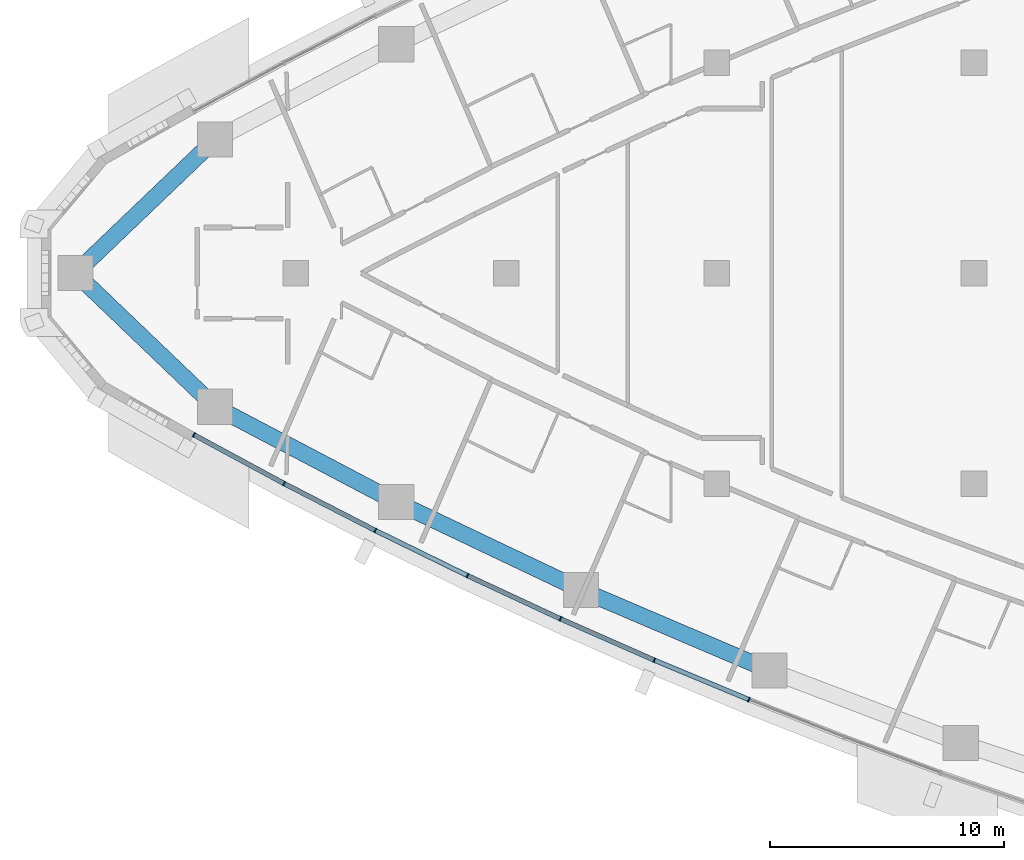
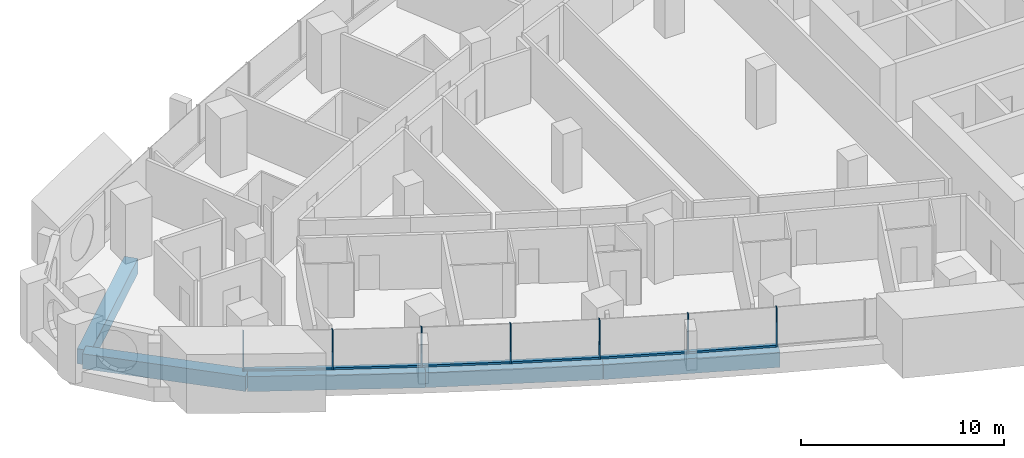
# One storey, part 2 of 17: 13 members, 5 beams, 3 elements without a shape of their own.
"""IFC4 building model written with IfcOpenShell, lengths in metres."""

from ifc_helpers import new_model, si_unit, direction, frame, origin, origin_2d, place, context, subcontext, project, spatial, rectangle, extrude, material, layer, layer_set, material_profile, profile_set, type_object, element, aggregate, save


model = new_model("IFC4")

# Units and contexts
model_context = context("Model", 3, precision=1e-05, world=origin(), true_north=direction((0.0, 1.0)))
body_context = subcontext(model_context, "Body", "Model", "MODEL_VIEW")
ifc_project = project(units=[si_unit("LENGTHUNIT", "METRE"), si_unit("AREAUNIT", "SQUARE_METRE"), si_unit("VOLUMEUNIT", "CUBIC_METRE"), si_unit("PLANEANGLEUNIT", "RADIAN"), si_unit("MASSUNIT", "GRAM", prefix="KILO")], contexts=[model_context])

# Site, building, storey
site_placement = place(None, origin())
site = spatial("IfcSite", under=ifc_project, at=site_placement, CompositionType="ELEMENT")
building_placement = place(site_placement, origin())
building = spatial("IfcBuilding", under=site, at=building_placement, Name="Ostrand Prow Hotel Tower", CompositionType="ELEMENT")
storey_placement = place(building_placement, frame((0.0, 0.0, 137.300048828125)))
storey = spatial("IfcBuildingStorey", under=building, at=storey_placement, Name="L33", CompositionType="ELEMENT", Elevation=137.300048828125)

# Beams
ifc_material_1 = material(Name="Concrete C70/85", Category="concrete")
ifc_material_profile_1 = material_profile(ifc_material_1, rectangle(XDim=0.699951171875, YDim=0.89990234375, at=origin_2d()), Name="RC 700x900")
ifc_profile_set_1 = profile_set([ifc_material_profile_1], Name="Concrete C70/85")
beam_type = type_object("IfcBeamType", Name="Edge beam 700x900 C70/85", PredefinedType="SPANDREL", material=ifc_profile_set_1)
beam_1_placement = place(storey_placement, frame((6.580078125, 0.0, -0.75), z_axis=(0.722689968521, -0.691172344209, 0.0), x_axis=(0.691172344209, 0.722689968521, 0.0)))
element("IfcBeam", 1, at=beam_1_placement, inside=storey, type_object=beam_type, Name="Edge beam P-S1", PredefinedType="SPANDREL", context=body_context, shape_type="SweptSolid", body=[
    extrude(rectangle(XDim=0.699951171875, YDim=0.89990234375, at=origin_2d()), origin(), (0.0, 0.0, 1.0), 8.26513671875),
])
for number, where, z_axis, x_axis, name in (
    (2, (12.55322265625, -5.712646484375, -0.75), (0.885016215308, -0.465560198731, 0.0), (0.465560198731, 0.885016215308, 0.0), "Edge beam S1-S2"),
    (3, (20.300048828125, -9.787841796875, -0.75), (0.903083113352, -0.429465819803, 0.0), (0.429465819803, 0.903083113352, 0.0), "Edge beam S2-S3"),
    (4, (28.205078125, -13.547119140625, -0.75), (0.919700966994, -0.392619575811, 0.0), (0.392619575811, 0.919700966994, 0.0), "Edge beam S3-S4"),
):
    element("IfcBeam", number, at=place(storey_placement, frame(where, z_axis=z_axis, x_axis=x_axis)), inside=storey, type_object=beam_type, Name=name, PredefinedType="SPANDREL", context=body_context, shape_type="SweptSolid", body=[
        extrude(rectangle(XDim=0.699951171875, YDim=0.89990234375, at=origin_2d()), origin(), (0.0, 0.0, 1.0), 8.75341796875),
    ])
beam_2_placement = place(storey_placement, frame((12.55322265625, 5.712646484375, -0.75), z_axis=(-0.722689968521, -0.691172344209, 0.0), x_axis=(0.691172344209, -0.722689968521, 0.0)))
element("IfcBeam", 5, at=beam_2_placement, inside=storey, type_object=beam_type, Name="Edge beam N6-P", PredefinedType="SPANDREL", context=body_context, shape_type="SweptSolid", body=[
    extrude(rectangle(XDim=0.699951171875, YDim=0.89990234375, at=origin_2d()), origin(), (0.0, 0.0, 1.0), 8.26513671875),
])

# Curtain wall, members
ifc_material_2 = material(Name="Insulated glass in bronze anodised frame", Category="glass")
ifc_layer = layer(ifc_material_2, 0.199951171875)
ifc_layer_set = layer_set([ifc_layer], Name="Insulated glass in bronze anodised frame")
curtain_wall_type = type_object("IfcCurtainWallType", Name="Strip curtain wall, fritted glass over bronze spandrel", PredefinedType="NOTDEFINED", material=ifc_layer_set)
curtain_wall_1_placement = place(storey_placement, origin())
curtain_wall_1 = element("IfcCurtainWall", 6, at=curtain_wall_1_placement, inside=storey, type_object=curtain_wall_type, Name="CW1 run CWS1", PredefinedType="NOTDEFINED")
ifc_material_3 = material(Name="Bronze anodised aluminium", Category="aluminium")
ifc_material_profile_2 = material_profile(ifc_material_3, rectangle(XDim=0.199951171875, YDim=0.06005859375, at=origin_2d()), Name="Mullion 60x200 bronze anodised aluminium")
ifc_profile_set_2 = profile_set([ifc_material_profile_2], Name="Bronze anodised aluminium")
member_type_1 = type_object("IfcMemberType", Name="Mullion 60x200 bronze anodised aluminium", PredefinedType="MULLION", material=ifc_profile_set_2)
member_1_placement = place(storey_placement, frame((11.64306640625, -6.909423828125, 0.89990234375), z_axis=(0.0, 0.0, 1.0), x_axis=(0.475393901316, 0.879773060847, 0.0)))
member_1 = element("IfcMember", 7, at=member_1_placement, type_object=member_type_1, Name="CW1 mullion 1", PredefinedType="MULLION", context=body_context, shape_type="SweptSolid", body=[
    extrude(rectangle(XDim=0.199951171875, YDim=0.06005859375, at=origin_2d()), origin(), (0.0, 0.0, 1.0), 2.35009765625),
])
member_2_placement = place(storey_placement, frame((15.501708984375, -8.99462890625, 0.89990234375), z_axis=(0.0, 0.0, 1.0), x_axis=(0.457619429434, 0.889148164146, 0.0)))
member_2 = element("IfcMember", 8, at=member_2_placement, type_object=member_type_1, Name="CW1 mullion 2", PredefinedType="MULLION", context=body_context, shape_type="SweptSolid", body=[
    extrude(rectangle(XDim=0.199951171875, YDim=0.06005859375, at=origin_2d()), origin(), (0.0, 0.0, 1.0), 2.35009765625),
])
member_3_placement = place(storey_placement, frame((19.401611328125, -11.001708984375, 0.89990234375), z_axis=(0.0, 0.0, 1.0), x_axis=(0.457619429434, 0.889148164146, 0.0)))
member_3 = element("IfcMember", 9, at=member_3_placement, type_object=member_type_1, Name="CW1 mullion 3", PredefinedType="MULLION", context=body_context, shape_type="SweptSolid", body=[
    extrude(rectangle(XDim=0.199951171875, YDim=0.06005859375, at=origin_2d()), origin(), (0.0, 0.0, 1.0), 2.35009765625),
])

curtain_wall_2_placement = place(storey_placement, origin())
curtain_wall_2 = element("IfcCurtainWall", 10, at=curtain_wall_2_placement, inside=storey, type_object=curtain_wall_type, Name="CW1 run CWS2", PredefinedType="NOTDEFINED")
member_4_placement = place(storey_placement, frame((23.341064453125, -12.93017578125, 0.89990234375), z_axis=(0.0, 0.0, 1.0), x_axis=(0.421521761673, 0.906818286337, 0.0)))
member_4 = element("IfcMember", 11, at=member_4_placement, type_object=member_type_1, Name="CW1 mullion 2", PredefinedType="MULLION", context=body_context, shape_type="SweptSolid", body=[
    extrude(rectangle(XDim=0.199951171875, YDim=0.06005859375, at=origin_2d()), origin(), (0.0, 0.0, 1.0), 2.35009765625),
])
member_5_placement = place(storey_placement, frame((27.318359375, -14.77880859375, 0.89990234375), z_axis=(0.0, 0.0, 1.0), x_axis=(0.421521761673, 0.906818286337, 0.0)))
member_5 = element("IfcMember", 12, at=member_5_placement, type_object=member_type_1, Name="CW1 mullion 3", PredefinedType="MULLION", context=body_context, shape_type="SweptSolid", body=[
    extrude(rectangle(XDim=0.199951171875, YDim=0.06005859375, at=origin_2d()), origin(), (0.0, 0.0, 1.0), 2.35009765625),
])

curtain_wall_3_placement = place(storey_placement, origin())
curtain_wall_3 = element("IfcCurtainWall", 13, at=curtain_wall_3_placement, inside=storey, type_object=curtain_wall_type, Name="CW1 run CWS3", PredefinedType="NOTDEFINED")
member_6_placement = place(storey_placement, frame((31.332275390625, -16.54736328125, 0.89990234375), z_axis=(0.0, 0.0, 1.0), x_axis=(0.384743220418, 0.92302364777, 0.0)))
member_6 = element("IfcMember", 14, at=member_6_placement, type_object=member_type_1, Name="CW1 mullion 2", PredefinedType="MULLION", context=body_context, shape_type="SweptSolid", body=[
    extrude(rectangle(XDim=0.199951171875, YDim=0.06005859375, at=origin_2d()), origin(), (0.0, 0.0, 1.0), 2.35009765625),
])
member_7_placement = place(storey_placement, frame((35.380615234375, -18.235107421875, 0.89990234375), z_axis=(0.0, 0.0, 1.0), x_axis=(0.384743220418, 0.92302364777, 0.0)))
member_7 = element("IfcMember", 15, at=member_7_placement, type_object=member_type_1, Name="CW1 mullion 3", PredefinedType="MULLION", context=body_context, shape_type="SweptSolid", body=[
    extrude(rectangle(XDim=0.199951171875, YDim=0.06005859375, at=origin_2d()), origin(), (0.0, 0.0, 1.0), 2.35009765625),
])

# Member
ifc_material_4 = material(Name="Bronze anodised aluminium", Category="aluminium")
ifc_material_profile_3 = material_profile(ifc_material_4, rectangle(XDim=0.199951171875, YDim=0.1201171875, at=origin_2d()), Name="Transom 120x200 bronze anodised aluminium")
ifc_profile_set_3 = profile_set([ifc_material_profile_3], Name="Bronze anodised aluminium")
member_type_2 = type_object("IfcMemberType", Name="Transom 120x200 bronze anodised aluminium", PredefinedType="USERDEFINED", material=ifc_profile_set_3)
member_8_placement = place(storey_placement, frame((11.66943359375, -6.923583984375, 0.9599609375), z_axis=(0.879765206929, -0.475408435639, 0.0), x_axis=(0.475408435639, 0.879765206929, 0.0)))
member_8 = element("IfcMember", 16, at=member_8_placement, type_object=member_type_2, Name="CW1 transom 1.1", ObjectType="TRANSOM", PredefinedType="USERDEFINED", context=body_context, shape_type="SweptSolid", body=[
    extrude(rectangle(XDim=0.199951171875, YDim=0.1201171875, at=origin_2d()), origin(), (0.0, 0.0, 1.0), 4.326171875),
])

member_9_placement = place(storey_placement, frame((15.528564453125, -9.00830078125, 0.9599609375), z_axis=(0.88914020052, -0.457634902318, 0.0), x_axis=(0.457634902318, 0.88914020052, 0.0)))
member_9 = element("IfcMember", 17, at=member_9_placement, type_object=member_type_2, Name="CW1 transom 2.1", ObjectType="TRANSOM", PredefinedType="USERDEFINED", context=body_context, shape_type="SweptSolid", body=[
    extrude(rectangle(XDim=0.199951171875, YDim=0.1201171875, at=origin_2d()), origin(), (0.0, 0.0, 1.0), 4.325927734375),
])

aggregate(curtain_wall_1, [member_1, member_2, member_3, member_8, member_9])

member_10_placement = place(storey_placement, frame((19.4287109375, -11.014892578125, 0.9599609375), z_axis=(0.89815413626, -0.439680733623, 0.0), x_axis=(0.439680733623, 0.89815413626, 0.0)))
member_10 = element("IfcMember", 18, at=member_10_placement, type_object=member_type_2, Name="CW1 transom 1.1", ObjectType="TRANSOM", PredefinedType="USERDEFINED", context=body_context, shape_type="SweptSolid", body=[
    extrude(rectangle(XDim=0.199951171875, YDim=0.1201171875, at=origin_2d()), origin(), (0.0, 0.0, 1.0), 4.326171875),
])

member_11_placement = place(storey_placement, frame((23.368408203125, -12.942626953125, 0.9599609375), z_axis=(0.906796377468, -0.421568890944, 0.0), x_axis=(0.421568890944, 0.906796377468, 0.0)))
member_11 = element("IfcMember", 19, at=member_11_placement, type_object=member_type_2, Name="CW1 transom 2.1", ObjectType="TRANSOM", PredefinedType="USERDEFINED", context=body_context, shape_type="SweptSolid", body=[
    extrude(rectangle(XDim=0.199951171875, YDim=0.1201171875, at=origin_2d()), origin(), (0.0, 0.0, 1.0), 4.326171875),
])

aggregate(curtain_wall_2, [member_4, member_5, member_10, member_11])

member_12_placement = place(storey_placement, frame((27.345947265625, -14.791015625, 0.9599609375), z_axis=(0.91509853977, -0.403230284715, 0.0), x_axis=(0.403230284715, 0.91509853977, 0.0)))
member_12 = element("IfcMember", 20, at=member_12_placement, type_object=member_type_2, Name="CW1 transom 1.1", ObjectType="TRANSOM", PredefinedType="USERDEFINED", context=body_context, shape_type="SweptSolid", body=[
    extrude(rectangle(XDim=0.199951171875, YDim=0.1201171875, at=origin_2d()), origin(), (0.0, 0.0, 1.0), 4.325927734375),
])

member_13_placement = place(storey_placement, frame((31.35986328125, -16.55908203125, 0.9599609375), z_axis=(0.923028493412, -0.384731595206, 0.0), x_axis=(0.384731595206, 0.923028493412, 0.0)))
member_13 = element("IfcMember", 21, at=member_13_placement, type_object=member_type_2, Name="CW1 transom 2.1", ObjectType="TRANSOM", PredefinedType="USERDEFINED", context=body_context, shape_type="SweptSolid", body=[
    extrude(rectangle(XDim=0.199951171875, YDim=0.1201171875, at=origin_2d()), origin(), (0.0, 0.0, 1.0), 4.325927734375),
])

aggregate(curtain_wall_3, [member_6, member_7, member_12, member_13])

save(model, "model.ifc")
